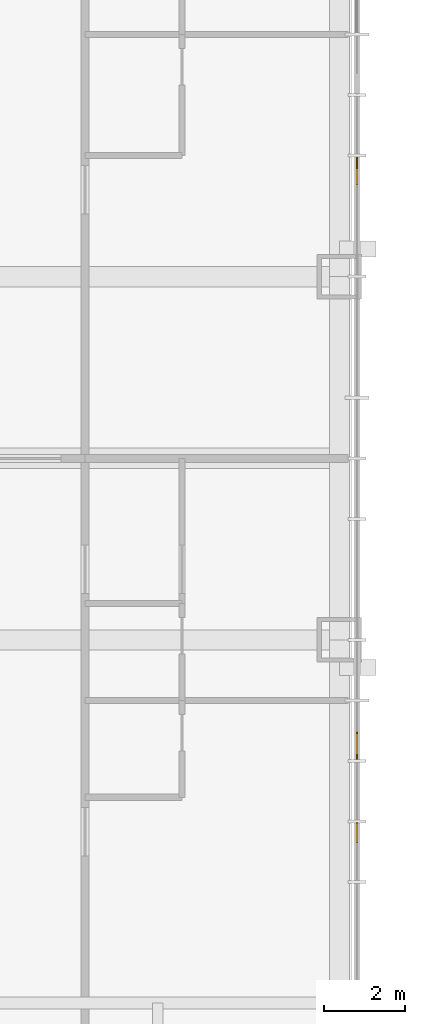
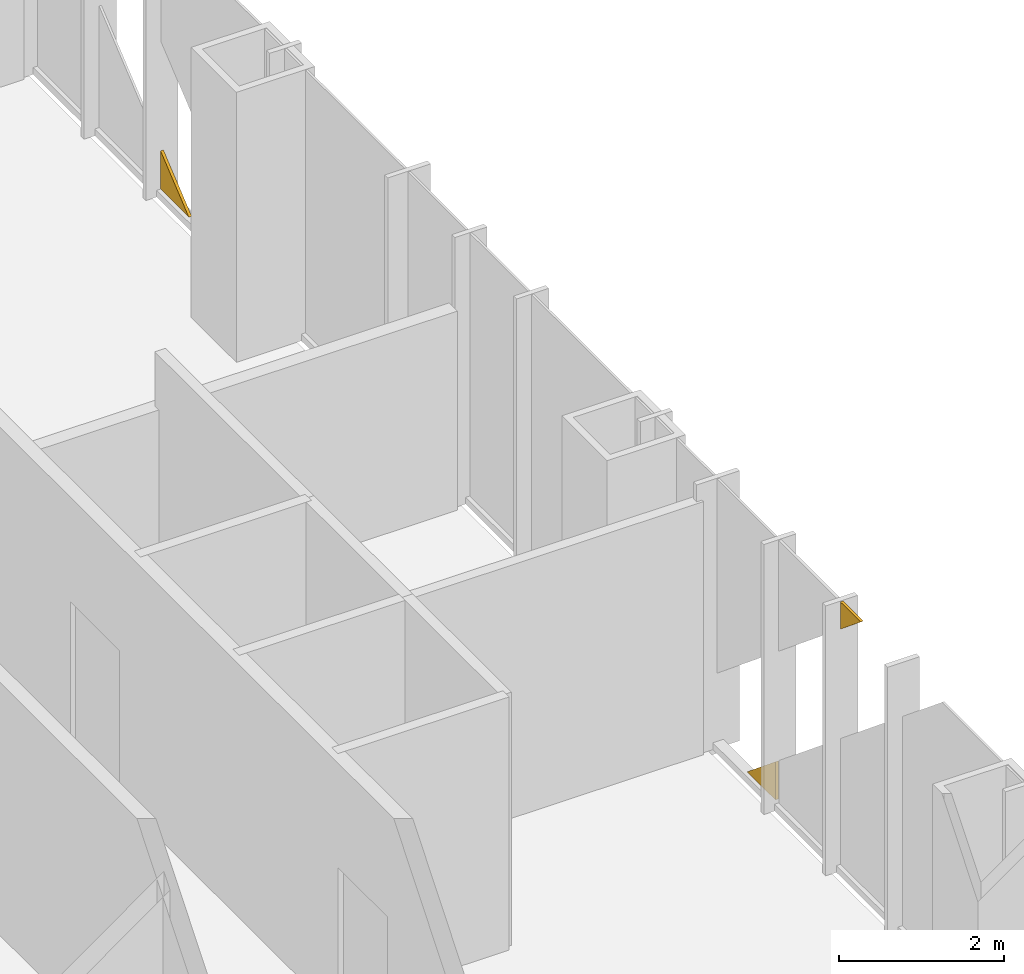
# One storey, part 16 of 18: 3 coverings.
"""IFC4 building model written with IfcOpenShell, lengths in metres."""

from ifc_helpers import new_model, si_unit, direction, frame, origin, place, context, subcontext, project, spatial, polyline, outline, extrude, material, layer, layer_set, type_object, element, save


model = new_model("IFC4")

# Units and contexts
model_context = context("Model", 3, precision=1e-05, world=origin(), true_north=direction((0.0, 1.0)))
body_context = subcontext(model_context, "Body", "Model", "MODEL_VIEW")
ifc_project = project(units=[si_unit("LENGTHUNIT", "METRE"), si_unit("AREAUNIT", "SQUARE_METRE"), si_unit("VOLUMEUNIT", "CUBIC_METRE"), si_unit("PLANEANGLEUNIT", "RADIAN"), si_unit("MASSUNIT", "GRAM", prefix="KILO")], contexts=[model_context])

# Site, building, storey
site_placement = place(None, origin())
site = spatial("IfcSite", under=ifc_project, at=site_placement, CompositionType="ELEMENT")
building_placement = place(site_placement, origin())
building = spatial("IfcBuilding", under=site, at=building_placement, Name="Malebo Sky Hospital", CompositionType="ELEMENT")
storey_placement = place(building_placement, frame((0.0, 0.0, 124.0)))
storey = spatial("IfcBuildingStorey", under=building, at=storey_placement, Name="L29", CompositionType="ELEMENT", Elevation=124.0)

# Coverings
ifc_material = material(Name="Anodised aluminium, natural silver insulated infill panel", Category="aluminium")
ifc_layer = layer(ifc_material, 0.0400390625)
ifc_layer_set = layer_set([ifc_layer], Name="BRACE INFILL PANEL 40")
covering_type = type_object("IfcCoveringType", Name="BRACE INFILL PANEL 40", PredefinedType="CLADDING", material=ifc_layer_set)
covering_1_placement = place(storey_placement, frame((84.135009765625, 69.119873046875, 0.10009765625), z_axis=(0.0, 0.0, 1.0), x_axis=(0.0, -1.0, 0.0)))
element("IfcCovering", 1, at=covering_1_placement, inside=storey, type_object=covering_type, Name="Brace infill panel 6.1", PredefinedType="CLADDING", context=body_context, shape_type="SweptSolid", body=[
    extrude(outline(polyline([(-0.3427734375, 0.0), (0.3427734375, 0.0), (-0.3427734375, 0.56494140625), (-0.3427734375, 0.0)])), frame((0.0, 0.02001953125, 0.0), z_axis=(0.0, -1.0, 0.0), x_axis=(1.0, 0.0, 0.0)), (0.0, 0.0, 1.0), 0.0400390625),
])
covering_2_placement = place(storey_placement, frame((84.135009765625, 54.880126953125, 0.10009765625), z_axis=(0.0, 0.0, 1.0), x_axis=(0.0, -1.0, 0.0)))
element("IfcCovering", 2, at=covering_2_placement, inside=storey, type_object=covering_type, Name="Brace infill panel 12.1", PredefinedType="CLADDING", context=body_context, shape_type="SweptSolid", body=[
    extrude(outline(polyline([(-0.3427734375, 0.0), (0.3427734375, 0.0), (0.3427734375, 0.56494140625), (-0.3427734375, 0.0)])), frame((0.0, 0.02001953125, 0.0), z_axis=(0.0, -1.0, 0.0), x_axis=(1.0, 0.0, 0.0)), (0.0, 0.0, 1.0), 0.0400390625),
])
covering_3_placement = place(storey_placement, frame((84.135009765625, 52.71630859375, 3.584228515625), z_axis=(0.0, 0.0, 1.0), x_axis=(0.0, -1.0, 0.0)))
element("IfcCovering", 3, at=covering_3_placement, inside=storey, type_object=covering_type, Name="Brace infill panel 14.1", PredefinedType="CLADDING", context=body_context, shape_type="SweptSolid", body=[
    extrude(outline(polyline([(-0.24609375, 0.0), (0.24609375, 0.40576171875), (-0.24609375, 0.40576171875), (-0.24609375, 0.0)])), frame((0.0, 0.02001953125, 0.0), z_axis=(0.0, -1.0, 0.0), x_axis=(1.0, 0.0, 0.0)), (0.0, 0.0, 1.0), 0.0400390625),
])

save(model, "model.ifc")
